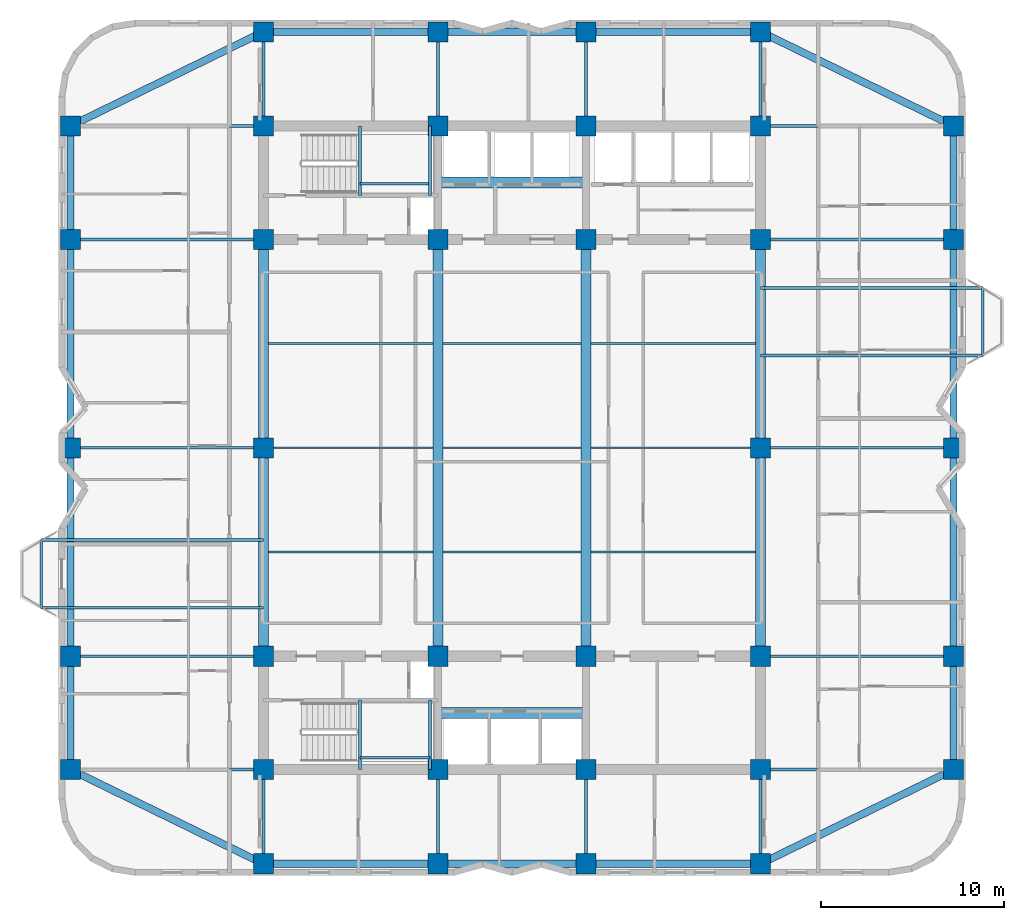
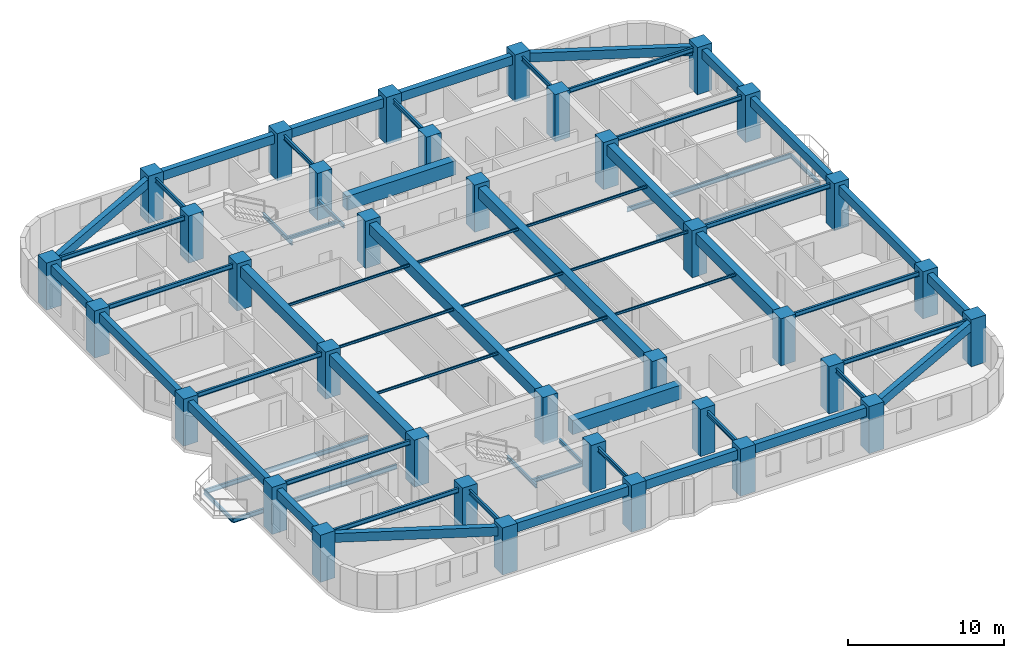
# One storey, part 1 of 10: 65 beams, 36 columns.
"""IFC4 building model written with IfcOpenShell, lengths in metres."""

from ifc_helpers import new_model, si_unit, direction, frame, origin, origin_2d, place, context, subcontext, project, spatial, rectangle, i_section, extrude, material, material_profile, profile_set, type_object, element, save


model = new_model("IFC4")

# Units and contexts
model_context = context("Model", 3, precision=1e-05, world=origin(), true_north=direction((0.0, 1.0)))
body_context = subcontext(model_context, "Body", "Model", "MODEL_VIEW")
ifc_project = project(units=[si_unit("LENGTHUNIT", "METRE"), si_unit("AREAUNIT", "SQUARE_METRE"), si_unit("VOLUMEUNIT", "CUBIC_METRE"), si_unit("PLANEANGLEUNIT", "RADIAN"), si_unit("MASSUNIT", "GRAM", prefix="KILO")], contexts=[model_context])

# Site, building, storey
site_placement = place(None, origin())
site = spatial("IfcSite", under=ifc_project, at=site_placement, CompositionType="ELEMENT")
building_placement = place(site_placement, origin())
building = spatial("IfcBuilding", under=site, at=building_placement, Name="Svetorya Sky Lyceum", CompositionType="ELEMENT")
storey_placement = place(building_placement, frame((0.0, 0.0, 114.199951171875)))
storey = spatial("IfcBuildingStorey", under=building, at=storey_placement, Name="L28", CompositionType="ELEMENT", Elevation=114.199951171875)

# Columns
ifc_material_1 = material(Name="Concrete C50/60", Category="concrete")
ifc_material_profile_1 = material_profile(ifc_material_1, rectangle(XDim=1.10009765625, YDim=1.10009765625, at=origin_2d()), Name="RC COL 1100x1100")
ifc_profile_set_1 = profile_set([ifc_material_profile_1], Name="Concrete C50/60")
column_type = type_object("IfcColumnType", Name="COL-RC-1100", PredefinedType="COLUMN", material=ifc_profile_set_1)
for number, where, z_axis, x_axis, name in (
    (1, (25.60009765625, 10.60009765625, 0.0), (0.0, 0.0, 1.0), (1.0, 0.0, 0.0), "L28 Core Column CS-11"),
    (2, (25.60009765625, 16.800048828125, 0.0), (0.0, 0.0, 1.0), (1.0, 0.0, 0.0), "L28 Core Column CS-12"),
    (3, (35.14990234375, 10.60009765625, 0.0), (0.0, 0.0, 1.0), (1.0, 0.0, 0.0), "L28 Core Column CS-21"),
    (4, (35.14990234375, 16.800048828125, 0.0), (0.0, 0.0, 1.0), (1.0, 0.0, 0.0), "L28 Core Column CS-22"),
    (5, (43.25, 10.60009765625, 0.0), (0.0, 0.0, 1.0), (1.0, 0.0, 0.0), "L28 Core Column CS-31"),
    (6, (43.25, 16.800048828125, 0.0), (0.0, 0.0, 1.0), (1.0, 0.0, 0.0), "L28 Core Column CS-32"),
    (7, (52.800048828125, 10.60009765625, 0.0), (0.0, 0.0, 1.0), (1.0, 0.0, 0.0), "L28 Core Column CS-41"),
    (8, (52.800048828125, 16.800048828125, 0.0), (0.0, 0.0, 1.0), (1.0, 0.0, 0.0), "L28 Core Column CS-42"),
    (9, (25.60009765625, 39.60009765625, 0.0), (0.0, 0.0, 1.0), (1.0, 0.0, 0.0), "L28 Core Column CN-11"),
    (10, (25.60009765625, 45.800048828125, 0.0), (0.0, 0.0, 1.0), (1.0, 0.0, 0.0), "L28 Core Column CN-12"),
    (11, (35.14990234375, 39.60009765625, 0.0), (0.0, 0.0, 1.0), (1.0, 0.0, 0.0), "L28 Core Column CN-21"),
    (12, (35.14990234375, 45.800048828125, 0.0), (0.0, 0.0, 1.0), (1.0, 0.0, 0.0), "L28 Core Column CN-22"),
    (13, (43.25, 39.60009765625, 0.0), (0.0, 0.0, 1.0), (1.0, 0.0, 0.0), "L28 Core Column CN-31"),
    (14, (43.25, 45.800048828125, 0.0), (0.0, 0.0, 1.0), (1.0, 0.0, 0.0), "L28 Core Column CN-32"),
    (15, (52.800048828125, 39.60009765625, 0.0), (0.0, 0.0, 1.0), (1.0, 0.0, 0.0), "L28 Core Column CN-41"),
    (16, (52.800048828125, 45.800048828125, 0.0), (0.0, 0.0, 1.0), (1.0, 0.0, 0.0), "L28 Core Column CN-42"),
    (17, (25.60009765625, 28.199951171875, 0.0), (0.0, 0.0, 1.0), (1.0, 0.0, 0.0), "L28 Core Column CM-W"),
    (18, (52.800048828125, 28.199951171875, 0.0), (0.0, 0.0, 1.0), (1.0, 0.0, 0.0), "L28 Core Column CM-E"),
    (19, (25.60009765625, 5.449951171875, 0.0), (0.0, 0.0, 1.0), (1.0, 0.0, 0.0), "L28 Perimeter Column S1"),
    (20, (25.60009765625, 50.949951171875, 0.0), (0.0, 0.0, 1.0), (1.0, 0.0, 0.0), "L28 Perimeter Column N1"),
    (21, (35.14990234375, 5.449951171875, 0.0), (0.0, 0.0, 1.0), (1.0, 0.0, 0.0), "L28 Perimeter Column S2"),
    (22, (35.14990234375, 50.949951171875, 0.0), (0.0, 0.0, 1.0), (1.0, 0.0, 0.0), "L28 Perimeter Column N2"),
    (23, (43.25, 5.449951171875, 0.0), (0.0, 0.0, 1.0), (1.0, 0.0, 0.0), "L28 Perimeter Column S3"),
    (24, (43.25, 50.949951171875, 0.0), (0.0, 0.0, 1.0), (1.0, 0.0, 0.0), "L28 Perimeter Column N3"),
    (25, (52.800048828125, 5.449951171875, 0.0), (0.0, 0.0, 1.0), (1.0, 0.0, 0.0), "L28 Perimeter Column S4"),
    (26, (52.800048828125, 50.949951171875, 0.0), (0.0, 0.0, 1.0), (1.0, 0.0, 0.0), "L28 Perimeter Column N4"),
    (27, (15.050048828125, 10.60009765625, 0.0), (0.0, 0.0, 1.0), (1.0, 0.0, 0.0), "L28 Perimeter Column W1"),
    (28, (63.35009765625, 10.60009765625, 0.0), (0.0, 0.0, 1.0), (1.0, 0.0, 0.0), "L28 Perimeter Column E1"),
    (29, (15.050048828125, 16.800048828125, 0.0), (0.0, 0.0, 1.0), (1.0, 0.0, 0.0), "L28 Perimeter Column W2"),
    (30, (63.35009765625, 16.800048828125, 0.0), (0.0, 0.0, 1.0), (1.0, 0.0, 0.0), "L28 Perimeter Column E2"),
    (31, (15.050048828125, 28.199951171875, 0.0), (0.0, 0.0, 1.0), (1.0, 0.0, 0.0), "L28 Perimeter Column W3"),
    (32, (63.35009765625, 28.199951171875, 0.0), (0.0, 0.0, 1.0), (1.0, 0.0, 0.0), "L28 Perimeter Column E3"),
    (33, (15.050048828125, 39.60009765625, 0.0), (0.0, 0.0, 1.0), (1.0, 0.0, 0.0), "L28 Perimeter Column W4"),
    (34, (63.35009765625, 39.60009765625, 0.0), (0.0, 0.0, 1.0), (1.0, 0.0, 0.0), "L28 Perimeter Column E4"),
    (35, (15.050048828125, 45.800048828125, 0.0), (0.0, 0.0, 1.0), (1.0, 0.0, 0.0), "L28 Perimeter Column W5"),
    (36, (63.35009765625, 45.800048828125, 0.0), (0.0, 0.0, 1.0), (1.0, 0.0, 0.0), "L28 Perimeter Column E5"),
):
    element("IfcColumn", number, at=place(storey_placement, frame(where, z_axis=z_axis, x_axis=x_axis)), inside=storey, type_object=column_type, Name=name, PredefinedType="COLUMN", context=body_context, shape_type="SweptSolid", body=[
        extrude(rectangle(XDim=1.10009765625, YDim=1.10009765625, at=origin_2d()), origin(), (0.0, 0.0, 1.0), 3.699951171875),
    ])

# Beams
ifc_material_2 = material(Name="Concrete C60/75", Category="concrete")
ifc_material_profile_2 = material_profile(ifc_material_2, rectangle(XDim=0.60009765625, YDim=1.10009765625, at=origin_2d()), Name="RC COUPLING 600x1100")
ifc_profile_set_2 = profile_set([ifc_material_profile_2], Name="Concrete C60/75")
beam_type_1 = type_object("IfcBeamType", Name="BM-CPL-1100", PredefinedType="LINTEL", material=ifc_profile_set_2)
for number, where, z_axis, x_axis, name in (
    (37, (35.14990234375, 13.699951171875, 2.8701171875), (1.0, 0.0, 0.0), (0.0, 1.0, 0.0), "L28 SC Core Coupling Beam"),
    (38, (35.14990234375, 42.699951171875, 2.8701171875), (1.0, 0.0, 0.0), (0.0, 1.0, 0.0), "L28 NC Core Coupling Beam"),
):
    element("IfcBeam", number, at=place(storey_placement, frame(where, z_axis=z_axis, x_axis=x_axis)), inside=storey, type_object=beam_type_1, Name=name, PredefinedType="LINTEL", context=body_context, shape_type="SweptSolid", body=[
        extrude(rectangle(XDim=0.60009765625, YDim=1.10009765625, at=origin_2d()), origin(), (0.0, 0.0, 1.0), 8.10009765625),
    ])
ifc_material_profile_3 = material_profile(ifc_material_1, rectangle(XDim=0.550048828125, YDim=0.85009765625, at=origin_2d()), Name="RC BEAM 550x850")
ifc_profile_set_3 = profile_set([ifc_material_profile_3], Name="Concrete C50/60")
beam_type_2 = type_object("IfcBeamType", Name="BM-RC-850", PredefinedType="BEAM", material=ifc_profile_set_3)
beam_1_placement = place(storey_placement, frame((25.60009765625, 16.800048828125, 2.9951171875), z_axis=(0.0, 1.0, 0.0), x_axis=(-1.0, 0.0, 0.0)))
element("IfcBeam", 39, at=beam_1_placement, inside=storey, type_object=beam_type_2, Name="L28 Central Bay Primary Girder CG-1A", PredefinedType="BEAM", context=body_context, shape_type="SweptSolid", body=[
    extrude(rectangle(XDim=0.550048828125, YDim=0.85009765625, at=origin_2d()), origin(), (0.0, 0.0, 1.0), 11.39990234375),
])
beam_2_placement = place(storey_placement, frame((25.60009765625, 28.199951171875, 2.9951171875), z_axis=(0.0, 1.0, 0.0), x_axis=(-1.0, 0.0, 0.0)))
element("IfcBeam", 40, at=beam_2_placement, inside=storey, type_object=beam_type_2, Name="L28 Central Bay Primary Girder CG-1B", PredefinedType="BEAM", context=body_context, shape_type="SweptSolid", body=[
    extrude(rectangle(XDim=0.550048828125, YDim=0.85009765625, at=origin_2d()), origin(), (0.0, 0.0, 1.0), 11.400146484375),
])
for number, where, z_axis, x_axis, name in (
    (41, (35.14990234375, 16.800048828125, 2.9951171875), (0.0, 1.0, 0.0), (-1.0, 0.0, 0.0), "L28 Central Bay Primary Girder CG-2"),
    (42, (43.25, 16.800048828125, 2.9951171875), (0.0, 1.0, 0.0), (-1.0, 0.0, 0.0), "L28 Central Bay Primary Girder CG-3"),
):
    element("IfcBeam", number, at=place(storey_placement, frame(where, z_axis=z_axis, x_axis=x_axis)), inside=storey, type_object=beam_type_2, Name=name, PredefinedType="BEAM", context=body_context, shape_type="SweptSolid", body=[
        extrude(rectangle(XDim=0.550048828125, YDim=0.85009765625, at=origin_2d()), origin(), (0.0, 0.0, 1.0), 22.800048828125),
    ])
beam_3_placement = place(storey_placement, frame((52.800048828125, 16.800048828125, 2.9951171875), z_axis=(0.0, 1.0, 0.0), x_axis=(-1.0, 0.0, 0.0)))
element("IfcBeam", 43, at=beam_3_placement, inside=storey, type_object=beam_type_2, Name="L28 Central Bay Primary Girder CG-4A", PredefinedType="BEAM", context=body_context, shape_type="SweptSolid", body=[
    extrude(rectangle(XDim=0.550048828125, YDim=0.85009765625, at=origin_2d()), origin(), (0.0, 0.0, 1.0), 11.39990234375),
])
beam_4_placement = place(storey_placement, frame((52.800048828125, 28.199951171875, 2.9951171875), z_axis=(0.0, 1.0, 0.0), x_axis=(-1.0, 0.0, 0.0)))
element("IfcBeam", 44, at=beam_4_placement, inside=storey, type_object=beam_type_2, Name="L28 Central Bay Primary Girder CG-4B", PredefinedType="BEAM", context=body_context, shape_type="SweptSolid", body=[
    extrude(rectangle(XDim=0.550048828125, YDim=0.85009765625, at=origin_2d()), origin(), (0.0, 0.0, 1.0), 11.400146484375),
])
ifc_material_profile_4 = material_profile(ifc_material_1, rectangle(XDim=0.39990234375, YDim=0.699951171875, at=origin_2d()), Name="RC SPANDREL 400x700")
ifc_profile_set_4 = profile_set([ifc_material_profile_4], Name="Concrete C50/60")
beam_type_3 = type_object("IfcBeamType", Name="BM-SPN-700", PredefinedType="SPANDREL", material=ifc_profile_set_4)
beam_5_placement = place(storey_placement, frame((25.60009765625, 5.449951171875, 3.070068359375), z_axis=(1.0, 0.0, 0.0), x_axis=(0.0, 1.0, 0.0)))
element("IfcBeam", 45, at=beam_5_placement, inside=storey, type_object=beam_type_3, Name="L28 South Spandrel 1", PredefinedType="SPANDREL", context=body_context, shape_type="SweptSolid", body=[
    extrude(rectangle(XDim=0.39990234375, YDim=0.699951171875, at=origin_2d()), origin(), (0.0, 0.0, 1.0), 9.5498046875),
])
beam_6_placement = place(storey_placement, frame((35.14990234375, 5.449951171875, 3.070068359375), z_axis=(1.0, 0.0, 0.0), x_axis=(0.0, 1.0, 0.0)))
element("IfcBeam", 46, at=beam_6_placement, inside=storey, type_object=beam_type_3, Name="L28 South Spandrel 2", PredefinedType="SPANDREL", context=body_context, shape_type="SweptSolid", body=[
    extrude(rectangle(XDim=0.39990234375, YDim=0.699951171875, at=origin_2d()), origin(), (0.0, 0.0, 1.0), 8.10009765625),
])
beam_7_placement = place(storey_placement, frame((43.25, 5.449951171875, 3.070068359375), z_axis=(1.0, 0.0, 0.0), x_axis=(0.0, 1.0, 0.0)))
element("IfcBeam", 47, at=beam_7_placement, inside=storey, type_object=beam_type_3, Name="L28 South Spandrel 3", PredefinedType="SPANDREL", context=body_context, shape_type="SweptSolid", body=[
    extrude(rectangle(XDim=0.39990234375, YDim=0.699951171875, at=origin_2d()), origin(), (0.0, 0.0, 1.0), 9.550048828125),
])
beam_8_placement = place(storey_placement, frame((25.60009765625, 50.949951171875, 3.070068359375), z_axis=(1.0, 0.0, 0.0), x_axis=(0.0, 1.0, 0.0)))
element("IfcBeam", 48, at=beam_8_placement, inside=storey, type_object=beam_type_3, Name="L28 North Spandrel 1", PredefinedType="SPANDREL", context=body_context, shape_type="SweptSolid", body=[
    extrude(rectangle(XDim=0.39990234375, YDim=0.699951171875, at=origin_2d()), origin(), (0.0, 0.0, 1.0), 9.5498046875),
])
beam_9_placement = place(storey_placement, frame((35.14990234375, 50.949951171875, 3.070068359375), z_axis=(1.0, 0.0, 0.0), x_axis=(0.0, 1.0, 0.0)))
element("IfcBeam", 49, at=beam_9_placement, inside=storey, type_object=beam_type_3, Name="L28 North Spandrel 2", PredefinedType="SPANDREL", context=body_context, shape_type="SweptSolid", body=[
    extrude(rectangle(XDim=0.39990234375, YDim=0.699951171875, at=origin_2d()), origin(), (0.0, 0.0, 1.0), 8.10009765625),
])
beam_10_placement = place(storey_placement, frame((43.25, 50.949951171875, 3.070068359375), z_axis=(1.0, 0.0, 0.0), x_axis=(0.0, 1.0, 0.0)))
element("IfcBeam", 50, at=beam_10_placement, inside=storey, type_object=beam_type_3, Name="L28 North Spandrel 3", PredefinedType="SPANDREL", context=body_context, shape_type="SweptSolid", body=[
    extrude(rectangle(XDim=0.39990234375, YDim=0.699951171875, at=origin_2d()), origin(), (0.0, 0.0, 1.0), 9.550048828125),
])
for number, where, z_axis, x_axis, name in (
    (51, (25.60009765625, 5.449951171875, 3.070068359375), (-0.898641495694, 0.438683783854, 0.0), (-0.438683783854, -0.898641495694, 0.0), "L28 Corner Spandrel 1"),
    (52, (52.800048828125, 5.449951171875, 3.070068359375), (0.898641495694, 0.438683783854, 0.0), (-0.438683783854, 0.898641495694, 0.0), "L28 Corner Spandrel 2"),
    (53, (63.35009765625, 45.800048828125, 3.070068359375), (-0.898649693653, 0.438666989978, 0.0), (-0.438666989978, -0.898649693653, 0.0), "L28 Corner Spandrel 3"),
    (54, (15.050048828125, 45.800048828125, 3.070068359375), (0.898649693653, 0.438666989978, 0.0), (-0.438666989978, 0.898649693653, 0.0), "L28 Corner Spandrel 4"),
):
    element("IfcBeam", number, at=place(storey_placement, frame(where, z_axis=z_axis, x_axis=x_axis)), inside=storey, type_object=beam_type_3, Name=name, PredefinedType="SPANDREL", context=body_context, shape_type="SweptSolid", body=[
        extrude(rectangle(XDim=0.39990234375, YDim=0.699951171875, at=origin_2d()), origin(), (0.0, 0.0, 1.0), 11.739990234375),
    ])
beam_11_placement = place(storey_placement, frame((15.050048828125, 10.60009765625, 3.070068359375), z_axis=(0.0, 1.0, 0.0), x_axis=(-1.0, 0.0, 0.0)))
element("IfcBeam", 55, at=beam_11_placement, inside=storey, type_object=beam_type_3, Name="L28 West Spandrel 1", PredefinedType="SPANDREL", context=body_context, shape_type="SweptSolid", body=[
    extrude(rectangle(XDim=0.39990234375, YDim=0.699951171875, at=origin_2d()), origin(), (0.0, 0.0, 1.0), 6.199951171875),
])
beam_12_placement = place(storey_placement, frame((15.050048828125, 16.800048828125, 3.070068359375), z_axis=(0.0, 1.0, 0.0), x_axis=(-1.0, 0.0, 0.0)))
element("IfcBeam", 56, at=beam_12_placement, inside=storey, type_object=beam_type_3, Name="L28 West Spandrel 2", PredefinedType="SPANDREL", context=body_context, shape_type="SweptSolid", body=[
    extrude(rectangle(XDim=0.39990234375, YDim=0.699951171875, at=origin_2d()), origin(), (0.0, 0.0, 1.0), 11.39990234375),
])
beam_13_placement = place(storey_placement, frame((15.050048828125, 28.199951171875, 3.070068359375), z_axis=(0.0, 1.0, 0.0), x_axis=(-1.0, 0.0, 0.0)))
element("IfcBeam", 57, at=beam_13_placement, inside=storey, type_object=beam_type_3, Name="L28 West Spandrel 3", PredefinedType="SPANDREL", context=body_context, shape_type="SweptSolid", body=[
    extrude(rectangle(XDim=0.39990234375, YDim=0.699951171875, at=origin_2d()), origin(), (0.0, 0.0, 1.0), 11.400146484375),
])
for number, where, z_axis, x_axis, name in (
    (58, (15.050048828125, 39.60009765625, 3.070068359375), (0.0, 1.0, 0.0), (-1.0, 0.0, 0.0), "L28 West Spandrel 4"),
    (59, (63.35009765625, 10.60009765625, 3.070068359375), (0.0, 1.0, 0.0), (-1.0, 0.0, 0.0), "L28 East Spandrel 1"),
):
    element("IfcBeam", number, at=place(storey_placement, frame(where, z_axis=z_axis, x_axis=x_axis)), inside=storey, type_object=beam_type_3, Name=name, PredefinedType="SPANDREL", context=body_context, shape_type="SweptSolid", body=[
        extrude(rectangle(XDim=0.39990234375, YDim=0.699951171875, at=origin_2d()), origin(), (0.0, 0.0, 1.0), 6.199951171875),
    ])
beam_14_placement = place(storey_placement, frame((63.35009765625, 16.800048828125, 3.070068359375), z_axis=(0.0, 1.0, 0.0), x_axis=(-1.0, 0.0, 0.0)))
element("IfcBeam", 60, at=beam_14_placement, inside=storey, type_object=beam_type_3, Name="L28 East Spandrel 2", PredefinedType="SPANDREL", context=body_context, shape_type="SweptSolid", body=[
    extrude(rectangle(XDim=0.39990234375, YDim=0.699951171875, at=origin_2d()), origin(), (0.0, 0.0, 1.0), 11.39990234375),
])
beam_15_placement = place(storey_placement, frame((63.35009765625, 28.199951171875, 3.070068359375), z_axis=(0.0, 1.0, 0.0), x_axis=(-1.0, 0.0, 0.0)))
element("IfcBeam", 61, at=beam_15_placement, inside=storey, type_object=beam_type_3, Name="L28 East Spandrel 3", PredefinedType="SPANDREL", context=body_context, shape_type="SweptSolid", body=[
    extrude(rectangle(XDim=0.39990234375, YDim=0.699951171875, at=origin_2d()), origin(), (0.0, 0.0, 1.0), 11.400146484375),
])
beam_16_placement = place(storey_placement, frame((63.35009765625, 39.60009765625, 3.070068359375), z_axis=(0.0, 1.0, 0.0), x_axis=(-1.0, 0.0, 0.0)))
element("IfcBeam", 62, at=beam_16_placement, inside=storey, type_object=beam_type_3, Name="L28 East Spandrel 4", PredefinedType="SPANDREL", context=body_context, shape_type="SweptSolid", body=[
    extrude(rectangle(XDim=0.39990234375, YDim=0.699951171875, at=origin_2d()), origin(), (0.0, 0.0, 1.0), 6.199951171875),
])
ifc_material_3 = material(Name="Steel S355", Category="steel")
ifc_material_profile_5 = material_profile(ifc_material_3, i_section(OverallWidth=0.10009765625, OverallDepth=0.199951171875, WebThickness=0.005615234375, FlangeThickness=0.008544921875, at=origin_2d()), Name="GOST 20B1")
ifc_profile_set_5 = profile_set([ifc_material_profile_5], Name="Steel S355")
beam_type_4 = type_object("IfcBeamType", Name="BM-STL-20B1", PredefinedType="JOIST", material=ifc_profile_set_5)
beam_17_placement = place(storey_placement, frame((25.875, 22.5, 3.320068359375), z_axis=(1.0, 0.0, 0.0), x_axis=(0.0, 1.0, 0.0)))
element("IfcBeam", 63, at=beam_17_placement, inside=storey, type_object=beam_type_4, Name="L28 Central Floor Joist CJ-1.1", PredefinedType="JOIST", context=body_context, shape_type="SweptSolid", body=[
    extrude(i_section(OverallWidth=0.10009765625, OverallDepth=0.199951171875, WebThickness=0.005615234375, FlangeThickness=0.008544921875, at=origin_2d()), origin(), (0.0, 0.0, 1.0), 9.0),
])
beam_18_placement = place(storey_placement, frame((35.425048828125, 22.5, 3.320068359375), z_axis=(1.0, 0.0, 0.0), x_axis=(0.0, 1.0, 0.0)))
element("IfcBeam", 64, at=beam_18_placement, inside=storey, type_object=beam_type_4, Name="L28 Central Floor Joist CJ-1.2", PredefinedType="JOIST", context=body_context, shape_type="SweptSolid", body=[
    extrude(i_section(OverallWidth=0.10009765625, OverallDepth=0.199951171875, WebThickness=0.005615234375, FlangeThickness=0.008544921875, at=origin_2d()), origin(), (0.0, 0.0, 1.0), 7.550048828125),
])
for number, where, z_axis, x_axis, name in (
    (65, (43.52490234375, 22.5, 3.320068359375), (1.0, 0.0, 0.0), (0.0, 1.0, 0.0), "L28 Central Floor Joist CJ-1.3"),
    (66, (25.875, 28.199951171875, 3.320068359375), (1.0, 0.0, 0.0), (0.0, 1.0, 0.0), "L28 Central Floor Joist CJ-2.1"),
):
    element("IfcBeam", number, at=place(storey_placement, frame(where, z_axis=z_axis, x_axis=x_axis)), inside=storey, type_object=beam_type_4, Name=name, PredefinedType="JOIST", context=body_context, shape_type="SweptSolid", body=[
        extrude(i_section(OverallWidth=0.10009765625, OverallDepth=0.199951171875, WebThickness=0.005615234375, FlangeThickness=0.008544921875, at=origin_2d()), origin(), (0.0, 0.0, 1.0), 9.0),
    ])
beam_19_placement = place(storey_placement, frame((35.425048828125, 28.199951171875, 3.320068359375), z_axis=(1.0, 0.0, 0.0), x_axis=(0.0, 1.0, 0.0)))
element("IfcBeam", 67, at=beam_19_placement, inside=storey, type_object=beam_type_4, Name="L28 Central Floor Joist CJ-2.2", PredefinedType="JOIST", context=body_context, shape_type="SweptSolid", body=[
    extrude(i_section(OverallWidth=0.10009765625, OverallDepth=0.199951171875, WebThickness=0.005615234375, FlangeThickness=0.008544921875, at=origin_2d()), origin(), (0.0, 0.0, 1.0), 7.550048828125),
])
for number, where, z_axis, x_axis, name in (
    (68, (43.52490234375, 28.199951171875, 3.320068359375), (1.0, 0.0, 0.0), (0.0, 1.0, 0.0), "L28 Central Floor Joist CJ-2.3"),
    (69, (25.875, 33.89990234375, 3.320068359375), (1.0, 0.0, 0.0), (0.0, 1.0, 0.0), "L28 Central Floor Joist CJ-3.1"),
):
    element("IfcBeam", number, at=place(storey_placement, frame(where, z_axis=z_axis, x_axis=x_axis)), inside=storey, type_object=beam_type_4, Name=name, PredefinedType="JOIST", context=body_context, shape_type="SweptSolid", body=[
        extrude(i_section(OverallWidth=0.10009765625, OverallDepth=0.199951171875, WebThickness=0.005615234375, FlangeThickness=0.008544921875, at=origin_2d()), origin(), (0.0, 0.0, 1.0), 9.0),
    ])
beam_20_placement = place(storey_placement, frame((35.425048828125, 33.89990234375, 3.320068359375), z_axis=(1.0, 0.0, 0.0), x_axis=(0.0, 1.0, 0.0)))
element("IfcBeam", 70, at=beam_20_placement, inside=storey, type_object=beam_type_4, Name="L28 Central Floor Joist CJ-3.2", PredefinedType="JOIST", context=body_context, shape_type="SweptSolid", body=[
    extrude(i_section(OverallWidth=0.10009765625, OverallDepth=0.199951171875, WebThickness=0.005615234375, FlangeThickness=0.008544921875, at=origin_2d()), origin(), (0.0, 0.0, 1.0), 7.550048828125),
])
beam_21_placement = place(storey_placement, frame((43.52490234375, 33.89990234375, 3.320068359375), z_axis=(1.0, 0.0, 0.0), x_axis=(0.0, 1.0, 0.0)))
element("IfcBeam", 71, at=beam_21_placement, inside=storey, type_object=beam_type_4, Name="L28 Central Floor Joist CJ-3.3", PredefinedType="JOIST", context=body_context, shape_type="SweptSolid", body=[
    extrude(i_section(OverallWidth=0.10009765625, OverallDepth=0.199951171875, WebThickness=0.005615234375, FlangeThickness=0.008544921875, at=origin_2d()), origin(), (0.0, 0.0, 1.0), 9.0),
])
ifc_material_profile_6 = material_profile(ifc_material_3, i_section(OverallWidth=0.14990234375, OverallDepth=0.299072265625, WebThickness=0.006591796875, FlangeThickness=0.010498046875, at=origin_2d()), Name="GOST 30B2")
ifc_profile_set_6 = profile_set([ifc_material_profile_6], Name="Steel S355")
beam_type_5 = type_object("IfcBeamType", Name="BM-STL-30B2", PredefinedType="JOIST", material=ifc_profile_set_6)
for number, where, z_axis, x_axis, name in (
    (72, (13.449951171875, 19.449951171875, -0.454345703125), (0.0, 1.0, 0.0), (-1.0, 0.0, 0.0), "L28 Balcony Edge Tie BAL-W1"),
    (73, (64.949951171875, 33.25, -0.454345703125), (0.0, 1.0, 0.0), (-1.0, 0.0, 0.0), "L28 Balcony Edge Tie BAL-E1"),
):
    element("IfcBeam", number, at=place(storey_placement, frame(where, z_axis=z_axis, x_axis=x_axis)), inside=storey, type_object=beam_type_5, Name=name, PredefinedType="JOIST", context=body_context, shape_type="SweptSolid", body=[
        extrude(i_section(OverallWidth=0.14990234375, OverallDepth=0.299072265625, WebThickness=0.006591796875, FlangeThickness=0.010498046875, at=origin_2d()), origin(), (0.0, 0.0, 1.0), 3.699951171875),
    ])
for number, where, z_axis, x_axis, name in (
    (74, (30.8798828125, 10.60009765625, 1.50048828125), (0.0, 1.0, 0.0), (-1.0, 0.0, 0.0), "L28 Stair ST-S Half-Landing Support Beam 32.1"),
    (75, (34.719970703125, 10.60009765625, 1.50048828125), (0.0, 1.0, 0.0), (-1.0, 0.0, 0.0), "L28 Stair ST-S Half-Landing Support Beam 32.2"),
):
    element("IfcBeam", number, at=place(storey_placement, frame(where, z_axis=z_axis, x_axis=x_axis)), inside=storey, type_object=beam_type_5, Name=name, PredefinedType="JOIST", context=body_context, shape_type="SweptSolid", body=[
        extrude(i_section(OverallWidth=0.14990234375, OverallDepth=0.299072265625, WebThickness=0.006591796875, FlangeThickness=0.010498046875, at=origin_2d()), origin(), (0.0, 0.0, 1.0), 3.7998046875),
    ])
beam_22_placement = place(storey_placement, frame((30.8798828125, 11.25, 1.50048828125), z_axis=(1.0, 0.0, 0.0), x_axis=(0.0, 1.0, 0.0)))
element("IfcBeam", 76, at=beam_22_placement, inside=storey, type_object=beam_type_5, Name="L28 Stair ST-S Half-Landing Cross Tie 32", PredefinedType="JOIST", context=body_context, shape_type="SweptSolid", body=[
    extrude(i_section(OverallWidth=0.14990234375, OverallDepth=0.299072265625, WebThickness=0.006591796875, FlangeThickness=0.010498046875, at=origin_2d()), origin(), (0.0, 0.0, 1.0), 3.840087890625),
])
for number, where, z_axis, x_axis, name in (
    (77, (30.8798828125, 42.0, 1.50048828125), (0.0, 1.0, 0.0), (-1.0, 0.0, 0.0), "L28 Stair ST-N Half-Landing Support Beam 32.1"),
    (78, (34.719970703125, 42.0, 1.50048828125), (0.0, 1.0, 0.0), (-1.0, 0.0, 0.0), "L28 Stair ST-N Half-Landing Support Beam 32.2"),
):
    element("IfcBeam", number, at=place(storey_placement, frame(where, z_axis=z_axis, x_axis=x_axis)), inside=storey, type_object=beam_type_5, Name=name, PredefinedType="JOIST", context=body_context, shape_type="SweptSolid", body=[
        extrude(i_section(OverallWidth=0.14990234375, OverallDepth=0.299072265625, WebThickness=0.006591796875, FlangeThickness=0.010498046875, at=origin_2d()), origin(), (0.0, 0.0, 1.0), 3.800048828125),
    ])
beam_23_placement = place(storey_placement, frame((30.8798828125, 42.64990234375, 1.50048828125), z_axis=(1.0, 0.0, 0.0), x_axis=(0.0, 1.0, 0.0)))
element("IfcBeam", 79, at=beam_23_placement, inside=storey, type_object=beam_type_5, Name="L28 Stair ST-N Half-Landing Cross Tie 32", PredefinedType="JOIST", context=body_context, shape_type="SweptSolid", body=[
    extrude(i_section(OverallWidth=0.14990234375, OverallDepth=0.299072265625, WebThickness=0.006591796875, FlangeThickness=0.010498046875, at=origin_2d()), origin(), (0.0, 0.0, 1.0), 3.840087890625),
])
ifc_material_profile_7 = material_profile(ifc_material_3, i_section(OverallWidth=0.155029296875, OverallDepth=0.34912109375, WebThickness=0.007080078125, FlangeThickness=0.011474609375, at=origin_2d()), Name="GOST 35B2")
ifc_profile_set_7 = profile_set([ifc_material_profile_7], Name="Steel S355")
beam_type_6 = type_object("IfcBeamType", Name="BM-STL-35B2", PredefinedType="JOIST", material=ifc_profile_set_7)
for number, where, z_axis, x_axis, name in (
    (80, (25.60009765625, 19.449951171875, -0.454345703125), (-1.0, 0.0, 0.0), (0.0, -1.0, 0.0), "L28 Balcony Cantilever Beam BAL-W1-1"),
    (81, (25.60009765625, 23.14990234375, -0.454345703125), (-1.0, 0.0, 0.0), (0.0, -1.0, 0.0), "L28 Balcony Cantilever Beam BAL-W1-2"),
):
    element("IfcBeam", number, at=place(storey_placement, frame(where, z_axis=z_axis, x_axis=x_axis)), inside=storey, type_object=beam_type_6, Name=name, PredefinedType="JOIST", context=body_context, shape_type="SweptSolid", body=[
        extrude(i_section(OverallWidth=0.155029296875, OverallDepth=0.34912109375, WebThickness=0.007080078125, FlangeThickness=0.011474609375, at=origin_2d()), origin(), (0.0, 0.0, 1.0), 12.150146484375),
    ])
for number, where, z_axis, x_axis, name in (
    (82, (52.800048828125, 33.25, -0.454345703125), (1.0, 0.0, 0.0), (0.0, 1.0, 0.0), "L28 Balcony Cantilever Beam BAL-E1-1"),
    (83, (52.800048828125, 36.949951171875, -0.454345703125), (1.0, 0.0, 0.0), (0.0, 1.0, 0.0), "L28 Balcony Cantilever Beam BAL-E1-2"),
):
    element("IfcBeam", number, at=place(storey_placement, frame(where, z_axis=z_axis, x_axis=x_axis)), inside=storey, type_object=beam_type_6, Name=name, PredefinedType="JOIST", context=body_context, shape_type="SweptSolid", body=[
        extrude(i_section(OverallWidth=0.155029296875, OverallDepth=0.34912109375, WebThickness=0.007080078125, FlangeThickness=0.011474609375, at=origin_2d()), origin(), (0.0, 0.0, 1.0), 12.14990234375),
    ])
for number, where, z_axis, x_axis, name in (
    (84, (15.050048828125, 10.60009765625, 3.24560546875), (1.0, 0.0, 0.0), (0.0, 1.0, 0.0), "L28 West Wing Floor Joist W1"),
    (85, (52.800048828125, 10.60009765625, 3.24560546875), (1.0, 0.0, 0.0), (0.0, 1.0, 0.0), "L28 East Wing Floor Joist E1"),
    (86, (15.050048828125, 16.800048828125, 3.24560546875), (1.0, 0.0, 0.0), (0.0, 1.0, 0.0), "L28 West Wing Floor Joist W2"),
    (87, (52.800048828125, 16.800048828125, 3.24560546875), (1.0, 0.0, 0.0), (0.0, 1.0, 0.0), "L28 East Wing Floor Joist E2"),
    (88, (15.050048828125, 28.199951171875, 3.24560546875), (1.0, 0.0, 0.0), (0.0, 1.0, 0.0), "L28 West Wing Floor Joist W3"),
    (89, (52.800048828125, 28.199951171875, 3.24560546875), (1.0, 0.0, 0.0), (0.0, 1.0, 0.0), "L28 East Wing Floor Joist E3"),
    (90, (15.050048828125, 39.60009765625, 3.24560546875), (1.0, 0.0, 0.0), (0.0, 1.0, 0.0), "L28 West Wing Floor Joist W4"),
    (91, (52.800048828125, 39.60009765625, 3.24560546875), (1.0, 0.0, 0.0), (0.0, 1.0, 0.0), "L28 East Wing Floor Joist E4"),
    (92, (15.050048828125, 45.800048828125, 3.24560546875), (1.0, 0.0, 0.0), (0.0, 1.0, 0.0), "L28 West Wing Floor Joist W5"),
    (93, (52.800048828125, 45.800048828125, 3.24560546875), (1.0, 0.0, 0.0), (0.0, 1.0, 0.0), "L28 East Wing Floor Joist E5"),
):
    element("IfcBeam", number, at=place(storey_placement, frame(where, z_axis=z_axis, x_axis=x_axis)), inside=storey, type_object=beam_type_6, Name=name, PredefinedType="JOIST", context=body_context, shape_type="SweptSolid", body=[
        extrude(i_section(OverallWidth=0.155029296875, OverallDepth=0.34912109375, WebThickness=0.007080078125, FlangeThickness=0.011474609375, at=origin_2d()), origin(), (0.0, 0.0, 1.0), 10.550048828125),
    ])
beam_24_placement = place(storey_placement, frame((25.60009765625, 5.449951171875, 3.24560546875), z_axis=(0.0, 1.0, 0.0), x_axis=(-1.0, 0.0, 0.0)))
element("IfcBeam", 94, at=beam_24_placement, inside=storey, type_object=beam_type_6, Name="L28 South Bay Floor Girder S1", PredefinedType="JOIST", context=body_context, shape_type="SweptSolid", body=[
    extrude(i_section(OverallWidth=0.155029296875, OverallDepth=0.34912109375, WebThickness=0.007080078125, FlangeThickness=0.011474609375, at=origin_2d()), origin(), (0.0, 0.0, 1.0), 5.150146484375),
])
beam_25_placement = place(storey_placement, frame((25.60009765625, 45.800048828125, 3.24560546875), z_axis=(0.0, 1.0, 0.0), x_axis=(-1.0, 0.0, 0.0)))
element("IfcBeam", 95, at=beam_25_placement, inside=storey, type_object=beam_type_6, Name="L28 North Bay Floor Girder N1", PredefinedType="JOIST", context=body_context, shape_type="SweptSolid", body=[
    extrude(i_section(OverallWidth=0.155029296875, OverallDepth=0.34912109375, WebThickness=0.007080078125, FlangeThickness=0.011474609375, at=origin_2d()), origin(), (0.0, 0.0, 1.0), 5.14990234375),
])
beam_26_placement = place(storey_placement, frame((35.14990234375, 5.449951171875, 3.24560546875), z_axis=(0.0, 1.0, 0.0), x_axis=(-1.0, 0.0, 0.0)))
element("IfcBeam", 96, at=beam_26_placement, inside=storey, type_object=beam_type_6, Name="L28 South Bay Floor Girder S2", PredefinedType="JOIST", context=body_context, shape_type="SweptSolid", body=[
    extrude(i_section(OverallWidth=0.155029296875, OverallDepth=0.34912109375, WebThickness=0.007080078125, FlangeThickness=0.011474609375, at=origin_2d()), origin(), (0.0, 0.0, 1.0), 5.150146484375),
])
beam_27_placement = place(storey_placement, frame((35.14990234375, 45.800048828125, 3.24560546875), z_axis=(0.0, 1.0, 0.0), x_axis=(-1.0, 0.0, 0.0)))
element("IfcBeam", 97, at=beam_27_placement, inside=storey, type_object=beam_type_6, Name="L28 North Bay Floor Girder N2", PredefinedType="JOIST", context=body_context, shape_type="SweptSolid", body=[
    extrude(i_section(OverallWidth=0.155029296875, OverallDepth=0.34912109375, WebThickness=0.007080078125, FlangeThickness=0.011474609375, at=origin_2d()), origin(), (0.0, 0.0, 1.0), 5.14990234375),
])
beam_28_placement = place(storey_placement, frame((43.25, 5.449951171875, 3.24560546875), z_axis=(0.0, 1.0, 0.0), x_axis=(-1.0, 0.0, 0.0)))
element("IfcBeam", 98, at=beam_28_placement, inside=storey, type_object=beam_type_6, Name="L28 South Bay Floor Girder S3", PredefinedType="JOIST", context=body_context, shape_type="SweptSolid", body=[
    extrude(i_section(OverallWidth=0.155029296875, OverallDepth=0.34912109375, WebThickness=0.007080078125, FlangeThickness=0.011474609375, at=origin_2d()), origin(), (0.0, 0.0, 1.0), 5.150146484375),
])
beam_29_placement = place(storey_placement, frame((43.25, 45.800048828125, 3.24560546875), z_axis=(0.0, 1.0, 0.0), x_axis=(-1.0, 0.0, 0.0)))
element("IfcBeam", 99, at=beam_29_placement, inside=storey, type_object=beam_type_6, Name="L28 North Bay Floor Girder N3", PredefinedType="JOIST", context=body_context, shape_type="SweptSolid", body=[
    extrude(i_section(OverallWidth=0.155029296875, OverallDepth=0.34912109375, WebThickness=0.007080078125, FlangeThickness=0.011474609375, at=origin_2d()), origin(), (0.0, 0.0, 1.0), 5.14990234375),
])
beam_30_placement = place(storey_placement, frame((52.800048828125, 5.449951171875, 3.24560546875), z_axis=(0.0, 1.0, 0.0), x_axis=(-1.0, 0.0, 0.0)))
element("IfcBeam", 100, at=beam_30_placement, inside=storey, type_object=beam_type_6, Name="L28 South Bay Floor Girder S4", PredefinedType="JOIST", context=body_context, shape_type="SweptSolid", body=[
    extrude(i_section(OverallWidth=0.155029296875, OverallDepth=0.34912109375, WebThickness=0.007080078125, FlangeThickness=0.011474609375, at=origin_2d()), origin(), (0.0, 0.0, 1.0), 5.150146484375),
])
beam_31_placement = place(storey_placement, frame((52.800048828125, 45.800048828125, 3.24560546875), z_axis=(0.0, 1.0, 0.0), x_axis=(-1.0, 0.0, 0.0)))
element("IfcBeam", 101, at=beam_31_placement, inside=storey, type_object=beam_type_6, Name="L28 North Bay Floor Girder N4", PredefinedType="JOIST", context=body_context, shape_type="SweptSolid", body=[
    extrude(i_section(OverallWidth=0.155029296875, OverallDepth=0.34912109375, WebThickness=0.007080078125, FlangeThickness=0.011474609375, at=origin_2d()), origin(), (0.0, 0.0, 1.0), 5.14990234375),
])

save(model, "model.ifc")
